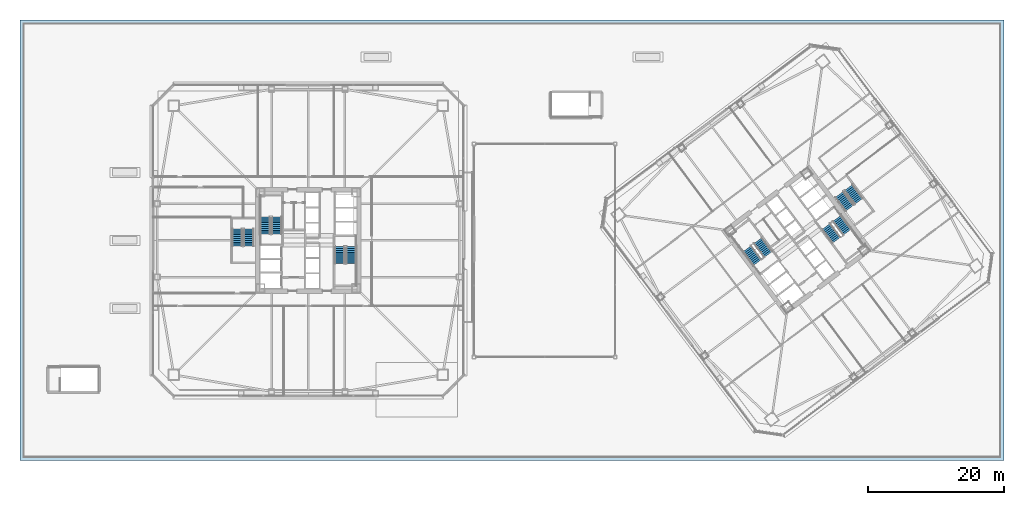
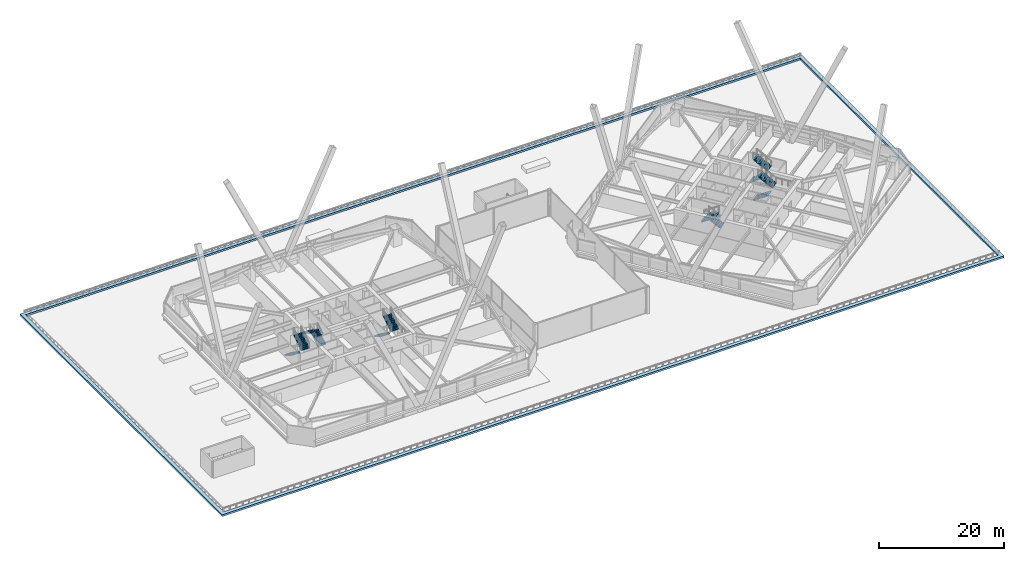
# One storey, part 72 of 83: 12 stair flights, 1 roof, 6 elements without a shape of their own.
"""IFC4 building model written with IfcOpenShell, lengths in metres."""

from ifc_helpers import new_model, si_unit, direction, frame, origin, place, context, subcontext, project, spatial, polyline, outline, extrude, material, layer, layer_set, type_object, element, aggregate, save


model = new_model("IFC4")

# Units and contexts
model_context = context("Model", 3, precision=1e-05, world=origin(), true_north=direction((0.0, 1.0)))
body_context = subcontext(model_context, "Body", "Model", "MODEL_VIEW")
ifc_project = project(units=[si_unit("LENGTHUNIT", "METRE"), si_unit("AREAUNIT", "SQUARE_METRE"), si_unit("VOLUMEUNIT", "CUBIC_METRE"), si_unit("PLANEANGLEUNIT", "RADIAN"), si_unit("MASSUNIT", "GRAM", prefix="KILO")], contexts=[model_context])

# Site, building, storey
site_placement = place(None, origin())
site = spatial("IfcSite", under=ifc_project, at=site_placement, CompositionType="ELEMENT")
building_placement = place(site_placement, origin())
building = spatial("IfcBuilding", under=site, at=building_placement, Name="Tashvorn Skyway Center", CompositionType="ELEMENT")
storey_placement = place(building_placement, frame((0.0, 0.0, 24.60009765625)))
storey = spatial("IfcBuildingStorey", under=building, at=storey_placement, Name="L05", CompositionType="ELEMENT", Elevation=24.60009765625)

# Stair, stair flights
ifc_material_1 = material(Name="Concrete C40/50", Category="concrete")
stair_type = type_object("IfcStairType", Name="STAIR-CORE-1500", PredefinedType="HALF_TURN_STAIR", material=ifc_material_1)
stair_1_placement = place(storey_placement, origin())
stair_1 = element("IfcStair", 1, at=stair_1_placement, inside=storey, type_object=stair_type, Name="L05 Tower 1 Exit Stair 1", PredefinedType="HALF_TURN_STAIR")
stair_flight_type = type_object("IfcStairFlightType", Name="SFLIGHT-1500", PredefinedType="STRAIGHT", material=ifc_material_1)
stair_flight_1_placement = place(storey_placement, frame((37.35009765625, 32.919921875, 0.0), z_axis=(0.0, 0.0, 1.0), x_axis=(0.0, 1.0, 0.0)))
stair_flight_1 = element("IfcStairFlight", 2, at=stair_flight_1_placement, type_object=stair_flight_type, Name="ST-T1-1 flight 1", NumberOfRisers=10, NumberOfTreads=9, PredefinedType="STRAIGHT", RiserHeight=0.1775, TreadLength=0.28, context=body_context, shape_type="SweptSolid", body=[
    extrude(outline(polyline([(0.0, 0.0), (0.0, 0.177490234375), (0.280029296875, 0.177490234375), (0.280029296875, 0.35498046875), (0.56005859375, 0.35498046875), (0.56005859375, 0.532470703125), (0.840087890625, 0.532470703125), (0.840087890625, 0.7099609375), (1.1201171875, 0.7099609375), (1.1201171875, 0.887451171875), (1.39990234375, 0.887451171875), (1.39990234375, 1.06494140625), (1.679931640625, 1.06494140625), (1.679931640625, 1.242431640625), (1.9599609375, 1.242431640625), (1.9599609375, 1.419921875), (2.239990234375, 1.419921875), (2.239990234375, 1.597412109375), (2.52001953125, 1.597412109375), (2.52001953125, 1.77490234375), (2.52001953125, 1.419921875), (0.280029296875, 0.0), (0.0, 0.0)])), frame((0.0, 0.75, 0.0), z_axis=(0.0, -1.0, 0.0), x_axis=(1.0, 0.0, 0.0)), (0.0, 0.0, 1.0), 1.5),
])
stair_flight_2_placement = place(storey_placement, frame((35.64990234375, 35.43994140625, 1.77490234375), z_axis=(0.0, 0.0, 1.0), x_axis=(0.0, -1.0, 0.0)))
stair_flight_2 = element("IfcStairFlight", 3, at=stair_flight_2_placement, type_object=stair_flight_type, Name="ST-T1-1 flight 2", NumberOfRisers=10, NumberOfTreads=9, PredefinedType="STRAIGHT", RiserHeight=0.1775, TreadLength=0.28, context=body_context, shape_type="SweptSolid", body=[
    extrude(outline(polyline([(0.0, 0.0), (0.0, 0.177490234375), (0.280029296875, 0.177490234375), (0.280029296875, 0.35498046875), (0.56005859375, 0.35498046875), (0.56005859375, 0.532470703125), (0.840087890625, 0.532470703125), (0.840087890625, 0.7099609375), (1.1201171875, 0.7099609375), (1.1201171875, 0.887451171875), (1.39990234375, 0.887451171875), (1.39990234375, 1.06494140625), (1.679931640625, 1.06494140625), (1.679931640625, 1.242431640625), (1.9599609375, 1.242431640625), (1.9599609375, 1.419921875), (2.239990234375, 1.419921875), (2.239990234375, 1.597412109375), (2.52001953125, 1.597412109375), (2.52001953125, 1.77490234375), (2.52001953125, 1.419921875), (0.280029296875, 0.0), (0.0, 0.0)])), frame((0.0, 0.75, 0.0), z_axis=(0.0, -1.0, 0.0), x_axis=(1.0, 0.0, 0.0)), (0.0, 0.0, 1.0), 1.5),
])
aggregate(stair_1, [stair_flight_1, stair_flight_2])

stair_2_placement = place(storey_placement, origin())
stair_2 = element("IfcStair", 4, at=stair_2_placement, inside=storey, type_object=stair_type, Name="L05 Tower 1 Exit Stair 2", PredefinedType="HALF_TURN_STAIR")
stair_flight_3_placement = place(storey_placement, frame((46.64990234375, 31.080078125, 0.0), z_axis=(0.0, 0.0, 1.0), x_axis=(0.0, -1.0, 0.0)))
stair_flight_3 = element("IfcStairFlight", 5, at=stair_flight_3_placement, type_object=stair_flight_type, Name="ST-T1-2 flight 1", NumberOfRisers=10, NumberOfTreads=9, PredefinedType="STRAIGHT", RiserHeight=0.1775, TreadLength=0.28, context=body_context, shape_type="SweptSolid", body=[
    extrude(outline(polyline([(0.0, 0.0), (0.0, 0.177490234375), (0.280029296875, 0.177490234375), (0.280029296875, 0.35498046875), (0.56005859375, 0.35498046875), (0.56005859375, 0.532470703125), (0.840087890625, 0.532470703125), (0.840087890625, 0.7099609375), (1.1201171875, 0.7099609375), (1.1201171875, 0.887451171875), (1.39990234375, 0.887451171875), (1.39990234375, 1.06494140625), (1.679931640625, 1.06494140625), (1.679931640625, 1.242431640625), (1.9599609375, 1.242431640625), (1.9599609375, 1.419921875), (2.239990234375, 1.419921875), (2.239990234375, 1.597412109375), (2.52001953125, 1.597412109375), (2.52001953125, 1.77490234375), (2.52001953125, 1.419921875), (0.280029296875, 0.0), (0.0, 0.0)])), frame((0.0, 0.75, 0.0), z_axis=(0.0, -1.0, 0.0), x_axis=(1.0, 0.0, 0.0)), (0.0, 0.0, 1.0), 1.5),
])
stair_flight_4_placement = place(storey_placement, frame((48.35009765625, 28.56005859375, 1.77490234375), z_axis=(0.0, 0.0, 1.0), x_axis=(0.0, 1.0, 0.0)))
stair_flight_4 = element("IfcStairFlight", 6, at=stair_flight_4_placement, type_object=stair_flight_type, Name="ST-T1-2 flight 2", NumberOfRisers=10, NumberOfTreads=9, PredefinedType="STRAIGHT", RiserHeight=0.1775, TreadLength=0.28, context=body_context, shape_type="SweptSolid", body=[
    extrude(outline(polyline([(0.0, 0.0), (0.0, 0.177490234375), (0.280029296875, 0.177490234375), (0.280029296875, 0.35498046875), (0.56005859375, 0.35498046875), (0.56005859375, 0.532470703125), (0.840087890625, 0.532470703125), (0.840087890625, 0.7099609375), (1.1201171875, 0.7099609375), (1.1201171875, 0.887451171875), (1.39990234375, 0.887451171875), (1.39990234375, 1.06494140625), (1.679931640625, 1.06494140625), (1.679931640625, 1.242431640625), (1.9599609375, 1.242431640625), (1.9599609375, 1.419921875), (2.239990234375, 1.419921875), (2.239990234375, 1.597412109375), (2.52001953125, 1.597412109375), (2.52001953125, 1.77490234375), (2.52001953125, 1.419921875), (0.280029296875, 0.0), (0.0, 0.0)])), frame((0.0, 0.75, 0.0), z_axis=(0.0, -1.0, 0.0), x_axis=(1.0, 0.0, 0.0)), (0.0, 0.0, 1.0), 1.5),
])
aggregate(stair_2, [stair_flight_3, stair_flight_4])

stair_3_placement = place(storey_placement, origin())
stair_3 = element("IfcStair", 7, at=stair_3_placement, inside=storey, type_object=stair_type, Name="L05 Tower 2 Exit Stair 1", PredefinedType="HALF_TURN_STAIR")
stair_flight_5_placement = place(storey_placement, frame((109.72802734375, 29.946044921875, 0.0), z_axis=(0.0, 0.0, 1.0), x_axis=(-0.600000004945, 0.799999996291, 0.0)))
stair_flight_5 = element("IfcStairFlight", 8, at=stair_flight_5_placement, type_object=stair_flight_type, Name="ST-T2-1 flight 1", NumberOfRisers=10, NumberOfTreads=9, PredefinedType="STRAIGHT", RiserHeight=0.1775, TreadLength=0.28, context=body_context, shape_type="SweptSolid", body=[
    extrude(outline(polyline([(0.0, 0.0), (0.0, 0.177490234375), (0.280029296875, 0.177490234375), (0.280029296875, 0.35498046875), (0.56005859375, 0.35498046875), (0.56005859375, 0.532470703125), (0.840087890625, 0.532470703125), (0.840087890625, 0.7099609375), (1.1201171875, 0.7099609375), (1.1201171875, 0.887451171875), (1.39990234375, 0.887451171875), (1.39990234375, 1.06494140625), (1.679931640625, 1.06494140625), (1.679931640625, 1.242431640625), (1.9599609375, 1.242431640625), (1.9599609375, 1.419921875), (2.239990234375, 1.419921875), (2.239990234375, 1.597412109375), (2.52001953125, 1.597412109375), (2.52001953125, 1.77490234375), (2.52001953125, 1.419921875), (0.280029296875, 0.0), (0.0, 0.0)])), frame((0.0, 0.75, 0.0), z_axis=(0.0, -1.0, 0.0), x_axis=(1.0, 0.0, 0.0)), (0.0, 0.0, 1.0), 1.5),
])
stair_flight_6_placement = place(storey_placement, frame((106.632080078125, 30.77392578125, 1.77490234375), z_axis=(0.0, 0.0, 1.0), x_axis=(0.600000004945, -0.799999996291, 0.0)))
stair_flight_6 = element("IfcStairFlight", 9, at=stair_flight_6_placement, type_object=stair_flight_type, Name="ST-T2-1 flight 2", NumberOfRisers=10, NumberOfTreads=9, PredefinedType="STRAIGHT", RiserHeight=0.1775, TreadLength=0.28, context=body_context, shape_type="SweptSolid", body=[
    extrude(outline(polyline([(0.0, 0.0), (0.0, 0.177490234375), (0.280029296875, 0.177490234375), (0.280029296875, 0.35498046875), (0.56005859375, 0.35498046875), (0.56005859375, 0.532470703125), (0.840087890625, 0.532470703125), (0.840087890625, 0.7099609375), (1.1201171875, 0.7099609375), (1.1201171875, 0.887451171875), (1.39990234375, 0.887451171875), (1.39990234375, 1.06494140625), (1.679931640625, 1.06494140625), (1.679931640625, 1.242431640625), (1.9599609375, 1.242431640625), (1.9599609375, 1.419921875), (2.239990234375, 1.419921875), (2.239990234375, 1.597412109375), (2.52001953125, 1.597412109375), (2.52001953125, 1.77490234375), (2.52001953125, 1.419921875), (0.280029296875, 0.0), (0.0, 0.0)])), frame((0.0, 0.75, 0.0), z_axis=(0.0, -1.0, 0.0), x_axis=(1.0, 0.0, 0.0)), (0.0, 0.0, 1.0), 1.5),
])
aggregate(stair_3, [stair_flight_5, stair_flight_6])

stair_4_placement = place(storey_placement, origin())
stair_4 = element("IfcStair", 10, at=stair_4_placement, inside=storey, type_object=stair_type, Name="L05 Tower 2 Exit Stair 2", PredefinedType="HALF_TURN_STAIR")
stair_flight_7_placement = place(storey_placement, frame((118.27197265625, 34.053955078125, 0.0), z_axis=(0.0, 0.0, 1.0), x_axis=(0.600000004945, -0.799999996291, 0.0)))
stair_flight_7 = element("IfcStairFlight", 11, at=stair_flight_7_placement, type_object=stair_flight_type, Name="ST-T2-2 flight 1", NumberOfRisers=10, NumberOfTreads=9, PredefinedType="STRAIGHT", RiserHeight=0.1775, TreadLength=0.28, context=body_context, shape_type="SweptSolid", body=[
    extrude(outline(polyline([(0.0, 0.0), (0.0, 0.177490234375), (0.280029296875, 0.177490234375), (0.280029296875, 0.35498046875), (0.56005859375, 0.35498046875), (0.56005859375, 0.532470703125), (0.840087890625, 0.532470703125), (0.840087890625, 0.7099609375), (1.1201171875, 0.7099609375), (1.1201171875, 0.887451171875), (1.39990234375, 0.887451171875), (1.39990234375, 1.06494140625), (1.679931640625, 1.06494140625), (1.679931640625, 1.242431640625), (1.9599609375, 1.242431640625), (1.9599609375, 1.419921875), (2.239990234375, 1.419921875), (2.239990234375, 1.597412109375), (2.52001953125, 1.597412109375), (2.52001953125, 1.77490234375), (2.52001953125, 1.419921875), (0.280029296875, 0.0), (0.0, 0.0)])), frame((0.0, 0.75, 0.0), z_axis=(0.0, -1.0, 0.0), x_axis=(1.0, 0.0, 0.0)), (0.0, 0.0, 1.0), 1.5),
])
stair_flight_8_placement = place(storey_placement, frame((121.367919921875, 33.22607421875, 1.77490234375), z_axis=(0.0, 0.0, 1.0), x_axis=(-0.600000004945, 0.799999996291, 0.0)))
stair_flight_8 = element("IfcStairFlight", 12, at=stair_flight_8_placement, type_object=stair_flight_type, Name="ST-T2-2 flight 2", NumberOfRisers=10, NumberOfTreads=9, PredefinedType="STRAIGHT", RiserHeight=0.1775, TreadLength=0.28, context=body_context, shape_type="SweptSolid", body=[
    extrude(outline(polyline([(0.0, 0.0), (0.0, 0.177490234375), (0.280029296875, 0.177490234375), (0.280029296875, 0.35498046875), (0.56005859375, 0.35498046875), (0.56005859375, 0.532470703125), (0.840087890625, 0.532470703125), (0.840087890625, 0.7099609375), (1.1201171875, 0.7099609375), (1.1201171875, 0.887451171875), (1.39990234375, 0.887451171875), (1.39990234375, 1.06494140625), (1.679931640625, 1.06494140625), (1.679931640625, 1.242431640625), (1.9599609375, 1.242431640625), (1.9599609375, 1.419921875), (2.239990234375, 1.419921875), (2.239990234375, 1.597412109375), (2.52001953125, 1.597412109375), (2.52001953125, 1.77490234375), (2.52001953125, 1.419921875), (0.280029296875, 0.0), (0.0, 0.0)])), frame((0.0, 0.75, 0.0), z_axis=(0.0, -1.0, 0.0), x_axis=(1.0, 0.0, 0.0)), (0.0, 0.0, 1.0), 1.5),
])
aggregate(stair_4, [stair_flight_7, stair_flight_8])

stair_5_placement = place(storey_placement, origin())
stair_5 = element("IfcStair", 13, at=stair_5_placement, inside=storey, type_object=stair_type, Name="L05 Tower 1 Exit Stair 3", PredefinedType="HALF_TURN_STAIR")
stair_flight_9_placement = place(storey_placement, frame((31.550048828125, 33.679931640625, 0.0), z_axis=(0.0, 0.0, 1.0), x_axis=(0.0, -1.0, 0.0)))
stair_flight_9 = element("IfcStairFlight", 14, at=stair_flight_9_placement, type_object=stair_flight_type, Name="ST-T1-3 flight 1", NumberOfRisers=10, NumberOfTreads=9, PredefinedType="STRAIGHT", RiserHeight=0.1775, TreadLength=0.28, context=body_context, shape_type="SweptSolid", body=[
    extrude(outline(polyline([(0.0, 0.0), (0.0, 0.177490234375), (0.280029296875, 0.177490234375), (0.280029296875, 0.35498046875), (0.56005859375, 0.35498046875), (0.56005859375, 0.532470703125), (0.840087890625, 0.532470703125), (0.840087890625, 0.7099609375), (1.1201171875, 0.7099609375), (1.1201171875, 0.887451171875), (1.39990234375, 0.887451171875), (1.39990234375, 1.06494140625), (1.679931640625, 1.06494140625), (1.679931640625, 1.242431640625), (1.9599609375, 1.242431640625), (1.9599609375, 1.419921875), (2.239990234375, 1.419921875), (2.239990234375, 1.597412109375), (2.52001953125, 1.597412109375), (2.52001953125, 1.77490234375), (2.52001953125, 1.419921875), (0.280029296875, 0.0), (0.0, 0.0)])), frame((0.0, 0.75, 0.0), z_axis=(0.0, -1.0, 0.0), x_axis=(1.0, 0.0, 0.0)), (0.0, 0.0, 1.0), 1.5),
])
stair_flight_10_placement = place(storey_placement, frame((33.25, 31.159912109375, 1.77490234375), z_axis=(0.0, 0.0, 1.0), x_axis=(0.0, 1.0, 0.0)))
stair_flight_10 = element("IfcStairFlight", 15, at=stair_flight_10_placement, type_object=stair_flight_type, Name="ST-T1-3 flight 2", NumberOfRisers=10, NumberOfTreads=9, PredefinedType="STRAIGHT", RiserHeight=0.1775, TreadLength=0.28, context=body_context, shape_type="SweptSolid", body=[
    extrude(outline(polyline([(0.0, 0.0), (0.0, 0.177490234375), (0.280029296875, 0.177490234375), (0.280029296875, 0.35498046875), (0.56005859375, 0.35498046875), (0.56005859375, 0.532470703125), (0.840087890625, 0.532470703125), (0.840087890625, 0.7099609375), (1.1201171875, 0.7099609375), (1.1201171875, 0.887451171875), (1.39990234375, 0.887451171875), (1.39990234375, 1.06494140625), (1.679931640625, 1.06494140625), (1.679931640625, 1.242431640625), (1.9599609375, 1.242431640625), (1.9599609375, 1.419921875), (2.239990234375, 1.419921875), (2.239990234375, 1.597412109375), (2.52001953125, 1.597412109375), (2.52001953125, 1.77490234375), (2.52001953125, 1.419921875), (0.280029296875, 0.0), (0.0, 0.0)])), frame((0.0, 0.75, 0.0), z_axis=(0.0, -1.0, 0.0), x_axis=(1.0, 0.0, 0.0)), (0.0, 0.0, 1.0), 1.5),
])
aggregate(stair_5, [stair_flight_9, stair_flight_10])

stair_6_placement = place(storey_placement, origin())
stair_6 = element("IfcStair", 16, at=stair_6_placement, inside=storey, type_object=stair_type, Name="L05 Tower 2 Exit Stair 3", PredefinedType="HALF_TURN_STAIR")
stair_flight_11_placement = place(storey_placement, frame((120.216064453125, 38.761962890625, 0.0), z_axis=(0.0, 0.0, 1.0), x_axis=(0.600000004945, -0.799999996291, 0.0)))
stair_flight_11 = element("IfcStairFlight", 17, at=stair_flight_11_placement, type_object=stair_flight_type, Name="ST-T2-3 flight 1", NumberOfRisers=10, NumberOfTreads=9, PredefinedType="STRAIGHT", RiserHeight=0.1775, TreadLength=0.28, context=body_context, shape_type="SweptSolid", body=[
    extrude(outline(polyline([(0.0, 0.0), (0.0, 0.177490234375), (0.280029296875, 0.177490234375), (0.280029296875, 0.35498046875), (0.56005859375, 0.35498046875), (0.56005859375, 0.532470703125), (0.840087890625, 0.532470703125), (0.840087890625, 0.7099609375), (1.1201171875, 0.7099609375), (1.1201171875, 0.887451171875), (1.39990234375, 0.887451171875), (1.39990234375, 1.06494140625), (1.679931640625, 1.06494140625), (1.679931640625, 1.242431640625), (1.9599609375, 1.242431640625), (1.9599609375, 1.419921875), (2.239990234375, 1.419921875), (2.239990234375, 1.597412109375), (2.52001953125, 1.597412109375), (2.52001953125, 1.77490234375), (2.52001953125, 1.419921875), (0.280029296875, 0.0), (0.0, 0.0)])), frame((0.0, 0.75, 0.0), z_axis=(0.0, -1.0, 0.0), x_axis=(1.0, 0.0, 0.0)), (0.0, 0.0, 1.0), 1.5),
])
stair_flight_12_placement = place(storey_placement, frame((123.087890625, 37.76611328125, 1.77490234375), z_axis=(0.0, 0.0, 1.0), x_axis=(-0.600000004945, 0.799999996291, 0.0)))
stair_flight_12 = element("IfcStairFlight", 18, at=stair_flight_12_placement, type_object=stair_flight_type, Name="ST-T2-3 flight 2", NumberOfRisers=10, NumberOfTreads=9, PredefinedType="STRAIGHT", RiserHeight=0.1775, TreadLength=0.28, context=body_context, shape_type="SweptSolid", body=[
    extrude(outline(polyline([(0.0, 0.0), (0.0, 0.177490234375), (0.280029296875, 0.177490234375), (0.280029296875, 0.35498046875), (0.56005859375, 0.35498046875), (0.56005859375, 0.532470703125), (0.840087890625, 0.532470703125), (0.840087890625, 0.7099609375), (1.1201171875, 0.7099609375), (1.1201171875, 0.887451171875), (1.39990234375, 0.887451171875), (1.39990234375, 1.06494140625), (1.679931640625, 1.06494140625), (1.679931640625, 1.242431640625), (1.9599609375, 1.242431640625), (1.9599609375, 1.419921875), (2.239990234375, 1.419921875), (2.239990234375, 1.597412109375), (2.52001953125, 1.597412109375), (2.52001953125, 1.77490234375), (2.52001953125, 1.419921875), (0.280029296875, 0.0), (0.0, 0.0)])), frame((0.0, 0.75, 0.0), z_axis=(0.0, -1.0, 0.0), x_axis=(1.0, 0.0, 0.0)), (0.0, 0.0, 1.0), 1.5),
])
aggregate(stair_6, [stair_flight_11, stair_flight_12])

# Roof
ifc_material_2 = material(Name="Architectural glazed Mojave terracotta roof and cornice system", Category="masonry")
ifc_layer = layer(ifc_material_2, 0.360107421875)
ifc_layer_set = layer_set([ifc_layer], Name="Architectural glazed Mojave terracotta roof and cornice system")
roof_type = type_object("IfcRoofType", Name="ROOF-PM-CORNICE", PredefinedType="GABLE_ROOF", material=ifc_layer_set)
roof_placement = place(storey_placement, origin())
element("IfcRoof", 19, at=roof_placement, inside=storey, type_object=roof_type, Name="Postmodern Terracotta Podium Cornice Frieze 4", PredefinedType="GABLE_ROOF", context=body_context, shape_type="SweptSolid", body=[
    extrude(outline(polyline([(-0.449951171875, -0.449951171875), (144.449951171875, -0.449951171875), (144.449951171875, 64.449951171875), (-0.449951171875, 64.449951171875), (-0.449951171875, -0.449951171875)]), holes=[polyline([(0.199951171875, 0.199951171875), (143.800048828125, 0.199951171875), (143.800048828125, 63.800048828125), (0.199951171875, 63.800048828125), (0.199951171875, 0.199951171875)])]), origin(), (0.0, 0.0, 1.0), 0.35986328125),
])

save(model, "model.ifc")
